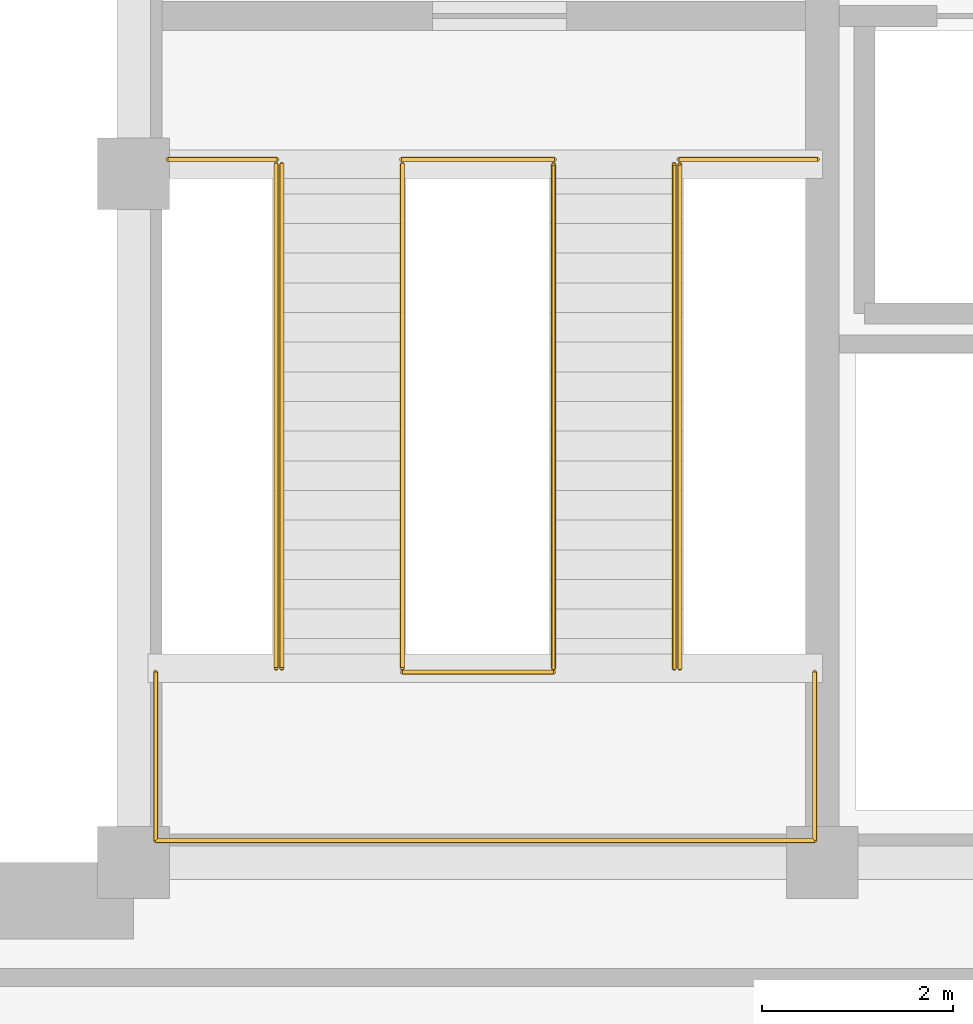
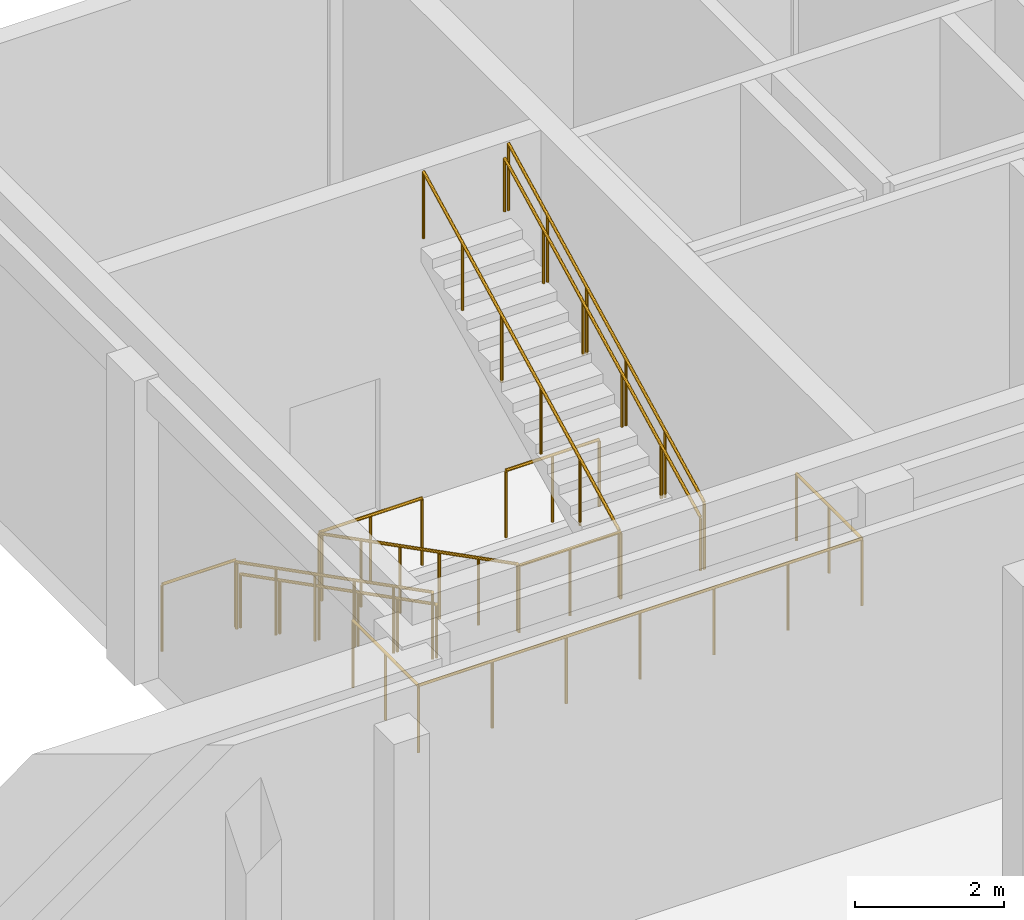
# One storey, part 14 of 15: 11 railings.
"""IFC4 building model written with IfcOpenShell, lengths in metres."""

from ifc_helpers import new_model, si_unit, direction, frame, origin, origin_2d, place, context, subcontext, project, spatial, circle, extrude, material, type_object, element, save


model = new_model("IFC4")

# Units and contexts
model_context = context("Model", 3, precision=1e-05, world=origin(), true_north=direction((0.0, 1.0)))
body_context = subcontext(model_context, "Body", "Model", "MODEL_VIEW")
ifc_project = project(units=[si_unit("LENGTHUNIT", "METRE"), si_unit("AREAUNIT", "SQUARE_METRE"), si_unit("VOLUMEUNIT", "CUBIC_METRE"), si_unit("PLANEANGLEUNIT", "RADIAN"), si_unit("MASSUNIT", "GRAM", prefix="KILO")], contexts=[model_context])

# Site, building, storey
site_placement = place(None, origin())
site = spatial("IfcSite", under=ifc_project, at=site_placement, CompositionType="ELEMENT")
building_placement = place(site_placement, origin())
building = spatial("IfcBuilding", under=site, at=building_placement, Name="Leyfeld Transit Interchange", CompositionType="ELEMENT")
storey_placement = place(building_placement, frame((0.0, 0.0, -5.39990234375)))
storey = spatial("IfcBuildingStorey", under=building, at=storey_placement, Name="B01", CompositionType="ELEMENT", Elevation=-5.39990234375)

# Railings
ifc_material = material(Name="Stainless steel EN 1.4404", Category="steel")
railing_type_1 = type_object("IfcRailingType", Name="RL-STR-GRD-1100", PredefinedType="GUARDRAIL", material=ifc_material)
railing_1_placement = place(storey_placement, frame((137.159912109375, 64.949951171875, 0.0)))
element("IfcRailing", 1, at=railing_1_placement, inside=storey, type_object=railing_type_1, Name="Stair ST-04 Landing Guard FLW B01", PredefinedType="GUARDRAIL", context=body_context, shape_type="SweptSolid", body=[
    extrude(circle(Radius=0.02392578125, at=origin_2d()), frame((0.0, 0.0, 1.09619140625), z_axis=(1.0, 0.0, 0.0), x_axis=(0.0, 1.0, 0.0)), (0.0, 0.0, 1.0), 1.14013671875),
    extrude(circle(Radius=0.02099609375, at=origin_2d()), origin(), (0.0, 0.0, 1.0), 1.072021484375),
    extrude(circle(Radius=0.02099609375, at=origin_2d()), frame((1.14013671875, 0.0, 0.0)), (0.0, 0.0, 1.0), 1.072021484375),
])
railing_2_placement = place(storey_placement, frame((139.60009765625, 64.949951171875, 0.0)))
element("IfcRailing", 2, at=railing_2_placement, inside=storey, type_object=railing_type_1, Name="Stair ST-04 Landing Guard EYE B01", PredefinedType="GUARDRAIL", context=body_context, shape_type="SweptSolid", body=[
    extrude(circle(Radius=0.02392578125, at=origin_2d()), frame((0.0, 0.0, 1.09619140625), z_axis=(1.0, 0.0, 0.0), x_axis=(0.0, 1.0, 0.0)), (0.0, 0.0, 1.0), 1.599853515625),
    extrude(circle(Radius=0.02099609375, at=origin_2d()), origin(), (0.0, 0.0, 1.0), 1.072021484375),
    extrude(circle(Radius=0.02099609375, at=origin_2d()), frame((0.7998046875, 0.0, 0.0)), (0.0, 0.0, 1.0), 1.072021484375),
    extrude(circle(Radius=0.02099609375, at=origin_2d()), frame((1.599853515625, 0.0, 0.0)), (0.0, 0.0, 1.0), 1.072021484375),
])
railing_3_placement = place(storey_placement, frame((142.5, 64.949951171875, 0.0)))
element("IfcRailing", 3, at=railing_3_placement, inside=storey, type_object=railing_type_1, Name="Stair ST-04 Landing Guard FLE B01", PredefinedType="GUARDRAIL", context=body_context, shape_type="SweptSolid", body=[
    extrude(circle(Radius=0.02392578125, at=origin_2d()), frame((0.0, 0.0, 1.09619140625), z_axis=(1.0, 0.0, 0.0), x_axis=(0.0, 1.0, 0.0)), (0.0, 0.0, 1.0), 1.449951171875),
    extrude(circle(Radius=0.02099609375, at=origin_2d()), origin(), (0.0, 0.0, 1.0), 1.072021484375),
    extrude(circle(Radius=0.02099609375, at=origin_2d()), frame((0.72509765625, 0.0, 0.0)), (0.0, 0.0, 1.0), 1.072021484375),
    extrude(circle(Radius=0.02099609375, at=origin_2d()), frame((1.449951171875, 0.0, 0.0)), (0.0, 0.0, 1.0), 1.072021484375),
])
railing_4_placement = place(storey_placement, frame((139.610107421875, 59.590087890625, 2.699951171875)))
element("IfcRailing", 4, at=railing_4_placement, inside=storey, type_object=railing_type_1, Name="Stair ST-04 B01 Half-Landing Inner Guard", PredefinedType="GUARDRAIL", context=body_context, shape_type="SweptSolid", body=[
    extrude(circle(Radius=0.02392578125, at=origin_2d()), frame((0.0, 0.0, 1.09619140625), z_axis=(1.0, 0.0, 0.0), x_axis=(0.0, 1.0, 0.0)), (0.0, 0.0, 1.0), 1.579833984375),
    extrude(circle(Radius=0.02099609375, at=origin_2d()), origin(), (0.0, 0.0, 1.0), 1.072021484375),
    extrude(circle(Radius=0.02099609375, at=origin_2d()), frame((0.7900390625, 0.0, 0.0)), (0.0, 0.0, 1.0), 1.072021484375),
    extrude(circle(Radius=0.02099609375, at=origin_2d()), frame((1.579833984375, 0.0, 0.0)), (0.0, 0.0, 1.0), 1.072021484375),
])
railing_5_placement = place(storey_placement, frame((137.030029296875, 59.590087890625, 2.699951171875)))
element("IfcRailing", 5, at=railing_5_placement, inside=storey, type_object=railing_type_1, Name="Stair ST-04 B01 Half-Landing Perimeter Guard", PredefinedType="GUARDRAIL", context=body_context, shape_type="SweptSolid", body=[
    extrude(circle(Radius=0.02392578125, at=origin_2d()), frame((0.0, 0.0, 1.09619140625), z_axis=(0.0, -1.0, 0.0), x_axis=(1.0, 0.0, 0.0)), (0.0, 0.0, 1.0), 1.760009765625),
    extrude(circle(Radius=0.02392578125, at=origin_2d()), frame((0.0, -1.760009765625, 1.09619140625), z_axis=(1.0, 0.0, 0.0), x_axis=(0.0, 1.0, 0.0)), (0.0, 0.0, 1.0), 6.889892578125),
    extrude(circle(Radius=0.02392578125, at=origin_2d()), frame((6.889892578125, -1.760009765625, 1.09619140625), z_axis=(0.0, 1.0, 0.0), x_axis=(-1.0, 0.0, 0.0)), (0.0, 0.0, 1.0), 1.760009765625),
    extrude(circle(Radius=0.02099609375, at=origin_2d()), origin(), (0.0, 0.0, 1.0), 1.072021484375),
    extrude(circle(Radius=0.02099609375, at=origin_2d()), frame((0.0, -0.8798828125, 0.0)), (0.0, 0.0, 1.0), 1.072021484375),
    extrude(circle(Radius=0.02099609375, at=origin_2d()), frame((0.0, -1.760009765625, 0.0)), (0.0, 0.0, 1.0), 1.072021484375),
    extrude(circle(Radius=0.02099609375, at=origin_2d()), frame((1.1484375, -1.760009765625, 0.0)), (0.0, 0.0, 1.0), 1.072021484375),
    extrude(circle(Radius=0.02099609375, at=origin_2d()), frame((2.296630859375, -1.760009765625, 0.0)), (0.0, 0.0, 1.0), 1.072021484375),
    extrude(circle(Radius=0.02099609375, at=origin_2d()), frame((3.44482421875, -1.760009765625, 0.0)), (0.0, 0.0, 1.0), 1.072021484375),
    extrude(circle(Radius=0.02099609375, at=origin_2d()), frame((4.59326171875, -1.760009765625, 0.0)), (0.0, 0.0, 1.0), 1.072021484375),
    extrude(circle(Radius=0.02099609375, at=origin_2d()), frame((5.74169921875, -1.760009765625, 0.0)), (0.0, 0.0, 1.0), 1.072021484375),
    extrude(circle(Radius=0.02099609375, at=origin_2d()), frame((6.889892578125, -1.760009765625, 0.0)), (0.0, 0.0, 1.0), 1.072021484375),
    extrude(circle(Radius=0.02099609375, at=origin_2d()), frame((6.889892578125, -0.8798828125, 0.0)), (0.0, 0.0, 1.0), 1.072021484375),
    extrude(circle(Radius=0.02099609375, at=origin_2d()), frame((6.889892578125, 0.0, 0.0)), (0.0, 0.0, 1.0), 1.072021484375),
])
for number, where, name in (
    (6, (139.610107421875, 64.89990234375, 0.0), "Stair ST-04 B01 F1 Inner Guard"),
    (7, (138.2900390625, 64.89990234375, 0.0), "Stair ST-04 B01 F1 Outer Guard"),
):
    element("IfcRailing", number, at=place(storey_placement, frame(where)), inside=storey, type_object=railing_type_1, Name=name, PredefinedType="GUARDRAIL", context=body_context, shape_type="SweptSolid", body=[
        extrude(circle(Radius=0.02392578125, at=origin_2d()), frame((0.0, 0.0, 1.09619140625), z_axis=(0.0, -0.889997253095, 0.455965886314), x_axis=(1.0, 0.0, 0.0)), (0.0, 0.0, 1.0), 5.92138671875),
        extrude(circle(Radius=0.02099609375, at=origin_2d()), origin(), (0.0, 0.0, 1.0), 1.072021484375),
        extrude(circle(Radius=0.02099609375, at=origin_2d()), frame((0.0, -1.053955078125, 0.5400390625)), (0.0, 0.0, 1.0), 1.072021484375),
        extrude(circle(Radius=0.02099609375, at=origin_2d()), frame((0.0, -2.10791015625, 1.080078125)), (0.0, 0.0, 1.0), 1.072021484375),
        extrude(circle(Radius=0.02099609375, at=origin_2d()), frame((0.0, -3.162109375, 1.619873046875)), (0.0, 0.0, 1.0), 1.072021484375),
        extrude(circle(Radius=0.02099609375, at=origin_2d()), frame((0.0, -4.216064453125, 2.159912109375)), (0.0, 0.0, 1.0), 1.072021484375),
        extrude(circle(Radius=0.02099609375, at=origin_2d()), frame((0.0, -5.27001953125, 2.699951171875)), (0.0, 0.0, 1.0), 1.072021484375),
    ])
for number, where, name in (
    (8, (141.18994140625, 59.6298828125, 2.699951171875), "Stair ST-04 B01 F2 Inner Guard"),
    (9, (142.510009765625, 59.6298828125, 2.699951171875), "Stair ST-04 B01 F2 Outer Guard"),
):
    element("IfcRailing", number, at=place(storey_placement, frame(where)), inside=storey, type_object=railing_type_1, Name=name, PredefinedType="GUARDRAIL", context=body_context, shape_type="SweptSolid", body=[
        extrude(circle(Radius=0.02392578125, at=origin_2d()), frame((0.0, 0.0, 1.09619140625), z_axis=(0.0, 0.889997253095, 0.455965886314), x_axis=(-1.0, 0.0, 0.0)), (0.0, 0.0, 1.0), 5.92138671875),
        extrude(circle(Radius=0.02099609375, at=origin_2d()), origin(), (0.0, 0.0, 1.0), 1.072021484375),
        extrude(circle(Radius=0.02099609375, at=origin_2d()), frame((0.0, 1.053955078125, 0.5400390625)), (0.0, 0.0, 1.0), 1.072021484375),
        extrude(circle(Radius=0.02099609375, at=origin_2d()), frame((0.0, 2.10791015625, 1.080078125)), (0.0, 0.0, 1.0), 1.072021484375),
        extrude(circle(Radius=0.02099609375, at=origin_2d()), frame((0.0, 3.162109375, 1.619873046875)), (0.0, 0.0, 1.0), 1.072021484375),
        extrude(circle(Radius=0.02099609375, at=origin_2d()), frame((0.0, 4.216064453125, 2.159912109375)), (0.0, 0.0, 1.0), 1.072021484375),
        extrude(circle(Radius=0.02099609375, at=origin_2d()), frame((0.0, 5.27001953125, 2.699951171875)), (0.0, 0.0, 1.0), 1.072021484375),
    ])
railing_type_2 = type_object("IfcRailingType", Name="RL-STR-HND-900", PredefinedType="HANDRAIL", material=ifc_material)
railing_6_placement = place(storey_placement, frame((138.35009765625, 64.89990234375, 0.0)))
element("IfcRailing", 10, at=railing_6_placement, inside=storey, type_object=railing_type_2, Name="Stair ST-04 B01 F1 Handrail", PredefinedType="HANDRAIL", context=body_context, shape_type="SweptSolid", body=[
    extrude(circle(Radius=0.02392578125, at=origin_2d()), frame((0.0, 0.0, 0.8759765625), z_axis=(0.0, -0.889997253095, 0.455965886314), x_axis=(1.0, 0.0, 0.0)), (0.0, 0.0, 1.0), 5.92138671875),
    extrude(circle(Radius=0.02099609375, at=origin_2d()), origin(), (0.0, 0.0, 1.0), 0.851806640625),
    extrude(circle(Radius=0.02099609375, at=origin_2d()), frame((0.0, -1.053955078125, 0.5400390625)), (0.0, 0.0, 1.0), 0.851806640625),
    extrude(circle(Radius=0.02099609375, at=origin_2d()), frame((0.0, -2.10791015625, 1.080078125)), (0.0, 0.0, 1.0), 0.851806640625),
    extrude(circle(Radius=0.02099609375, at=origin_2d()), frame((0.0, -3.162109375, 1.619873046875)), (0.0, 0.0, 1.0), 0.851806640625),
    extrude(circle(Radius=0.02099609375, at=origin_2d()), frame((0.0, -4.216064453125, 2.159912109375)), (0.0, 0.0, 1.0), 0.851806640625),
    extrude(circle(Radius=0.02099609375, at=origin_2d()), frame((0.0, -5.27001953125, 2.699951171875)), (0.0, 0.0, 1.0), 0.851806640625),
])
railing_7_placement = place(storey_placement, frame((142.449951171875, 59.6298828125, 2.699951171875)))
element("IfcRailing", 11, at=railing_7_placement, inside=storey, type_object=railing_type_2, Name="Stair ST-04 B01 F2 Handrail", PredefinedType="HANDRAIL", context=body_context, shape_type="SweptSolid", body=[
    extrude(circle(Radius=0.02392578125, at=origin_2d()), frame((0.0, 0.0, 0.8759765625), z_axis=(0.0, 0.889997253095, 0.455965886314), x_axis=(-1.0, 0.0, 0.0)), (0.0, 0.0, 1.0), 5.92138671875),
    extrude(circle(Radius=0.02099609375, at=origin_2d()), origin(), (0.0, 0.0, 1.0), 0.851806640625),
    extrude(circle(Radius=0.02099609375, at=origin_2d()), frame((0.0, 1.053955078125, 0.5400390625)), (0.0, 0.0, 1.0), 0.851806640625),
    extrude(circle(Radius=0.02099609375, at=origin_2d()), frame((0.0, 2.10791015625, 1.080078125)), (0.0, 0.0, 1.0), 0.851806640625),
    extrude(circle(Radius=0.02099609375, at=origin_2d()), frame((0.0, 3.162109375, 1.619873046875)), (0.0, 0.0, 1.0), 0.851806640625),
    extrude(circle(Radius=0.02099609375, at=origin_2d()), frame((0.0, 4.216064453125, 2.159912109375)), (0.0, 0.0, 1.0), 0.851806640625),
    extrude(circle(Radius=0.02099609375, at=origin_2d()), frame((0.0, 5.27001953125, 2.699951171875)), (0.0, 0.0, 1.0), 0.851806640625),
])

save(model, "model.ifc")
